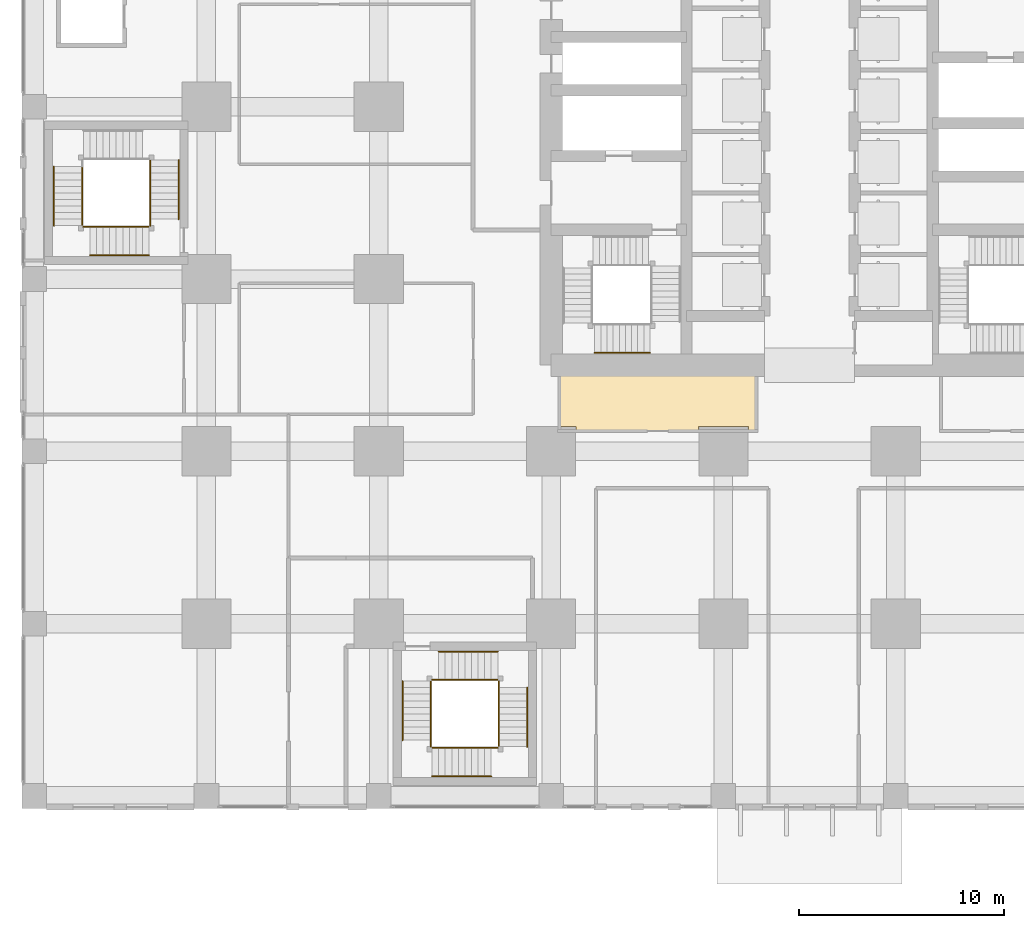
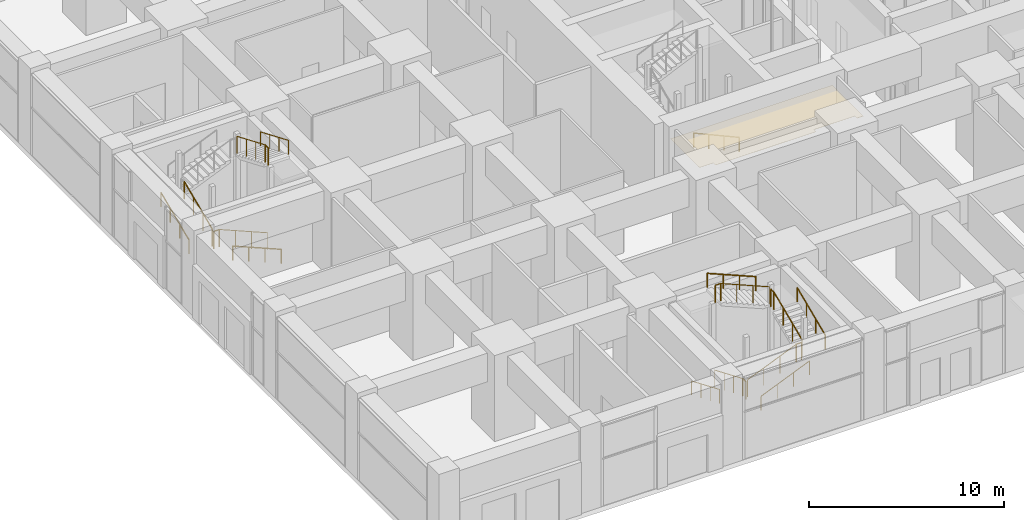
# One storey, part 46 of 81: 21 railings, 1 covering.
"""IFC4 building model written with IfcOpenShell, lengths in metres."""

import ifcopenshell
import ifcopenshell.guid

model = None  # the IFC model being written
_history = None  # IfcOwnerHistory: only IFC2X3 demands one
_inside = {}  # id of a spatial element -> (the spatial element, [elements in it])
_under = {}  # id of a project, library or spatial element -> (it, [spatial elements below it])
_declared = {}  # id of a project -> (the project, [libraries it declares])
_typed = {}  # id of a type object -> (the type object, [elements of that type])
_made_of = {}  # id of a material, layer set ... -> (it, [elements and type objects made of it])


def new_model(schema):
    """Start an empty IFC model of exactly this schema.

    Asked for "IFC4X3", IfcOpenShell would pick the latest addendum, in which some entities
    have other attributes; the version numbers below select the first issue.
    IFC2X3 requires an IfcOwnerHistory on every rooted entity: one is made here for all.
    """
    global model, _history
    if schema == "IFC4X3":
        model = ifcopenshell.file(schema_version=(4, 3, 0, 0))
    else:
        model = ifcopenshell.file(schema=schema)
    _inside.clear()
    _under.clear()
    _declared.clear()
    _typed.clear()
    _made_of.clear()
    _history = None
    if model.schema == "IFC2X3":
        org = make("IfcOrganization", Name="unknown")
        user = make(
            "IfcPersonAndOrganization",
            ThePerson=make("IfcPerson", FamilyName="unknown"),
            TheOrganization=org,
        )
        app = make(
            "IfcApplication",
            ApplicationDeveloper=org,
            Version="unknown",
            ApplicationFullName="unknown",
            ApplicationIdentifier="unknown",
        )
        _history = make(
            "IfcOwnerHistory",
            OwningUser=user,
            OwningApplication=app,
            ChangeAction="ADDED",
            CreationDate=0,
        )
    return model


def make(cls, **values):
    """One entity of the class cls with the attributes given. An attribute that is None is left unset."""
    return model.create_entity(
        cls, **{name: value for name, value in values.items() if value is not None}
    )


def rooted(cls, **values):
    """An entity with a GlobalId (a new one), such as an element, a storey or a relation."""
    return make(cls, GlobalId=ifcopenshell.guid.new(), OwnerHistory=_history, **values)


def si_unit(unit_type, name, prefix=None):
    """IfcSIUnit, for example si_unit("LENGTHUNIT", "METRE", prefix="MILLI")."""
    return make("IfcSIUnit", UnitType=unit_type, Prefix=prefix, Name=name)


def assignment(units):
    """IfcUnitAssignment: the units of a project."""
    return None if units is None else make("IfcUnitAssignment", Units=units)


def point(xyz):
    """IfcCartesianPoint."""
    return None if xyz is None else make("IfcCartesianPoint", Coordinates=xyz)


def direction(xyz):
    """IfcDirection."""
    return None if xyz is None else make("IfcDirection", DirectionRatios=xyz)


def frame(location, z_axis=None, x_axis=None):
    """IfcAxis2Placement3D, a coordinate frame: its origin and axes. An axis left out is left unset."""
    return make(
        "IfcAxis2Placement3D",
        Location=point(location),
        Axis=direction(z_axis),
        RefDirection=direction(x_axis),
    )


def frame_2d(location, x_axis=None):
    """IfcAxis2Placement2D, a coordinate frame in the plane: its origin and x axis."""
    return make(
        "IfcAxis2Placement2D", Location=point(location), RefDirection=direction(x_axis)
    )


def origin():
    """The frame at (0, 0, 0) with its axes left unset."""
    return frame((0.0, 0.0, 0.0))


def origin_2d():
    """The frame at (0, 0) in the plane with its x axis left unset."""
    return frame_2d((0.0, 0.0))


def place(relative_to, where):
    """IfcLocalPlacement: puts the frame where relative to a parent placement (None: the world)."""
    return make(
        "IfcLocalPlacement", PlacementRelTo=relative_to, RelativePlacement=where
    )


def context(
    kind, dimensions, precision=None, world=None, true_north=None, identifier=None
):
    """IfcGeometricRepresentationContext, for example the 3D "Model" context."""
    return make(
        "IfcGeometricRepresentationContext",
        ContextIdentifier=identifier,
        ContextType=kind,
        CoordinateSpaceDimension=dimensions,
        Precision=precision,
        WorldCoordinateSystem=world,
        TrueNorth=true_north,
    )


def subcontext(parent, identifier, kind, view, scale=None):
    """IfcGeometricRepresentationSubContext, for example "Body" below "Model"."""
    return make(
        "IfcGeometricRepresentationSubContext",
        ContextIdentifier=identifier,
        ContextType=kind,
        ParentContext=parent,
        TargetScale=scale,
        TargetView=view,
    )


def project(units=None, contexts=None):
    """IfcProject with its units and contexts."""
    return rooted(
        "IfcProject",
        Name="project",
        RepresentationContexts=contexts,
        UnitsInContext=assignment(units),
    )


def spatial(cls, under=None, at=None, **own):
    """A site, building, storey or space (cls), placed at a placement, below another one or the project."""
    s = rooted(cls, ObjectPlacement=at, **own)
    if under is not None:
        _under.setdefault(under.id(), (under, []))[1].append(s)
    return s


def polyline(points):
    """IfcPolyline through the points."""
    return make("IfcPolyline", Points=[point(p) for p in points])


def profile(cls, at=None, kind="AREA", **sizes):
    """A parametric profile (cls). Its sizes go by their IFC names, for example OverallWidth=200.0."""
    return make(cls, ProfileType=kind, Position=at, **sizes)


def circle(**sizes):
    """IfcCircleProfileDef."""
    return profile("IfcCircleProfileDef", **sizes)


def outline(outer, holes=None, kind="AREA"):
    """IfcArbitraryClosedProfileDef: a profile drawn as a closed curve; with holes, ...WithVoids."""
    if holes is None:
        return make("IfcArbitraryClosedProfileDef", ProfileType=kind, OuterCurve=outer)
    return make(
        "IfcArbitraryProfileDefWithVoids",
        ProfileType=kind,
        OuterCurve=outer,
        InnerCurves=holes,
    )


def extrude(swept, where, along, depth):
    """IfcExtrudedAreaSolid: the profile swept, set in the frame where, extruded along a direction by depth."""
    return make(
        "IfcExtrudedAreaSolid",
        SweptArea=swept,
        Position=where,
        ExtrudedDirection=direction(along),
        Depth=depth,
    )


def shape(context_of_items, identifier, shape_type, items):
    """IfcShapeRepresentation: the items that make up one representation, for example the "Body"."""
    return make(
        "IfcShapeRepresentation",
        ContextOfItems=context_of_items,
        RepresentationIdentifier=identifier,
        RepresentationType=shape_type,
        Items=items,
    )


def material(Name=None, Category=None):
    """IfcMaterial."""
    return make("IfcMaterial", Name=Name, Category=Category)


def layer(
    of_material, thickness, ventilated=None, Name=None, Category=None, Priority=None
):
    """IfcMaterialLayer: one layer of a wall or slab, of a material (None: an air gap)."""
    return make(
        "IfcMaterialLayer",
        Material=of_material,
        LayerThickness=thickness,
        IsVentilated=ventilated,
        Name=Name,
        Category=Category,
        Priority=Priority,
    )


def layer_set(layers, Name=None):
    """IfcMaterialLayerSet."""
    return make("IfcMaterialLayerSet", MaterialLayers=layers, LayerSetName=Name)


def made_of(thing, what):
    """Note that an element or type object is made of a material, layer set ...; save() writes the relation."""
    if what is not None:
        _made_of.setdefault(what.id(), (what, []))[1].append(thing)
    return thing


def type_object(cls, material=None, **own):
    """A type object (cls), such as IfcWallType, which elements share."""
    return made_of(rooted(cls, **own), material)


def element(
    cls,
    number,
    at=None,
    inside=None,
    cuts=None,
    type_object=None,
    material=None,
    context=None,
    identifier="Body",
    shape_type=None,
    held_by="IfcProductDefinitionShape",
    body=None,
    shapes=None,
    **own,
):
    """One element of the class cls, such as IfcWall. Its Tag is "e" and its number.

    at: its placement. inside: the storey or other place that contains it. cuts: it is an
    opening in that element (IfcRelVoidsElement). A single representation is given by context,
    identifier, shape_type and body (its items); several are given by shapes. held_by: the class
    of the entity that holds the representations. save() writes the other relations.
    """
    e = rooted(cls, Tag="e%d" % number, ObjectPlacement=at, **own)
    if body is not None:
        shapes = [shape(context, identifier, shape_type, body)]
    if shapes is not None:
        e.Representation = make(held_by, Representations=shapes)
    if inside is not None:
        _inside.setdefault(inside.id(), (inside, []))[1].append(e)
    if cuts is not None:
        rooted(
            "IfcRelVoidsElement", RelatingBuildingElement=cuts, RelatedOpeningElement=e
        )
    if type_object is not None:
        _typed.setdefault(type_object.id(), (type_object, []))[1].append(e)
    return made_of(e, material)


def aggregate(whole, parts):
    """IfcRelAggregates: a whole, such as a stair, and the parts it consists of."""
    return rooted("IfcRelAggregates", RelatingObject=whole, RelatedObjects=parts)


def save(model, path):
    """Write the relations noted so far, then the file.

    IfcRelAggregates (storeys below a building ...), IfcRelContainedInSpatialStructure (elements
    in a storey), IfcRelDefinesByType, IfcRelAssociatesMaterial and IfcRelDeclares: one each for
    every whole, place, type object, material and project.
    """
    for whole, parts in _under.values():
        aggregate(whole, parts)
    for where, things in _inside.values():
        rooted(
            "IfcRelContainedInSpatialStructure",
            RelatedElements=things,
            RelatingStructure=where,
        )
    for kind, things in _typed.values():
        rooted("IfcRelDefinesByType", RelatedObjects=things, RelatingType=kind)
    for what, things in _made_of.values():
        rooted("IfcRelAssociatesMaterial", RelatedObjects=things, RelatingMaterial=what)
    for by, libraries in _declared.values():
        rooted("IfcRelDeclares", RelatingContext=by, RelatedDefinitions=libraries)
    model.write(path)


model = new_model("IFC4")

# Units and contexts
model_context = context("Model", 3, precision=1e-05, world=origin(), true_north=direction((0.0, 1.0)))
body_context = subcontext(model_context, "Body", "Model", "MODEL_VIEW")
ifc_project = project(units=[si_unit("LENGTHUNIT", "METRE"), si_unit("AREAUNIT", "SQUARE_METRE"), si_unit("VOLUMEUNIT", "CUBIC_METRE"), si_unit("PLANEANGLEUNIT", "RADIAN"), si_unit("MASSUNIT", "GRAM", prefix="KILO")], contexts=[model_context])

# Site, building, storey
site_placement = place(None, origin())
site = spatial("IfcSite", under=ifc_project, at=site_placement, CompositionType="ELEMENT")
building_placement = place(site_placement, origin())
building = spatial("IfcBuilding", under=site, at=building_placement, Name="Rekha Terrace Tower", CompositionType="ELEMENT")
storey_placement = place(building_placement, origin())
storey = spatial("IfcBuildingStorey", under=building, at=storey_placement, Name="L00", CompositionType="ELEMENT", Elevation=0.0)

# Covering
ifc_material_1 = material(Name="Fibre cement board", Category="finish")
ifc_layer = layer(ifc_material_1, 0.014892578125)
ifc_layer_set = layer_set([ifc_layer], Name="Fibre cement board")
covering_type = type_object("IfcCoveringType", Name="CL2 moisture-resistant board ceiling", PredefinedType="CEILING", material=ifc_layer_set)
covering_placement = place(storey_placement, frame((0.0, 0.0, 4.18505859375)))
element("IfcCovering", 1, at=covering_placement, inside=storey, type_object=covering_type, Name="Ceiling L00-WCM", PredefinedType="CEILING", context=body_context, shape_type="SweptSolid", body=[
    extrude(outline(polyline([(35.199951171875, 21.0), (25.60009765625, 21.0), (25.60009765625, 18.014892578125), (26.4150390625, 18.014892578125), (26.4150390625, 17.800048828125), (32.385009765625, 17.800048828125), (32.385009765625, 18.014892578125), (34.81494140625, 18.014892578125), (34.81494140625, 17.800048828125), (35.199951171875, 17.800048828125), (35.199951171875, 21.0)])), origin(), (0.0, 0.0, 1.0), 0.014892578125),
])

# Railings
ifc_material_2 = material(Name="Stainless steel balustrade", Category="steel")
railing_type_1 = type_object("IfcRailingType", Name="GR1 1100 stair guard", PredefinedType="GUARDRAIL", material=ifc_material_2)
railing_1_placement = place(storey_placement, frame((5.60009765625, 27.739990234375, 0.135009765625)))
element("IfcRailing", 2, at=railing_1_placement, inside=storey, type_object=railing_type_1, Name="Guard SP1 L00 flight 1", PredefinedType="GUARDRAIL", context=body_context, shape_type="SweptSolid", body=[
    extrude(circle(Radius=0.02392578125, at=origin_2d()), frame((0.0, 0.0, 1.076171875), z_axis=(-0.921360227523, 0.0, 0.388709828972), x_axis=(0.0, -1.0, 0.0)), (0.0, 0.0, 1.0), 3.1259765625),
    extrude(circle(Radius=0.02099609375, at=origin_2d()), origin(), (0.0, 0.0, 1.0), 1.052001953125),
    extrude(circle(Radius=0.02099609375, at=origin_2d()), frame((-0.9599609375, 0.0, 0.405029296875)), (0.0, 0.0, 1.0), 1.052001953125),
    extrude(circle(Radius=0.02099609375, at=origin_2d()), frame((-1.920166015625, 0.0, 0.81005859375)), (0.0, 0.0, 1.0), 1.052001953125),
    extrude(circle(Radius=0.02099609375, at=origin_2d()), frame((-2.880126953125, 0.0, 1.215087890625)), (0.0, 0.0, 1.0), 1.052001953125),
])
railing_2_placement = place(storey_placement, frame((2.340087890625, 27.800048828125, 1.485107421875)))
element("IfcRailing", 3, at=railing_2_placement, inside=storey, type_object=railing_type_1, Name="Guard SP1 L00 flight 2", PredefinedType="GUARDRAIL", context=body_context, shape_type="SweptSolid", body=[
    extrude(circle(Radius=0.02392578125, at=origin_2d()), frame((0.0, 0.0, 1.076171875), z_axis=(0.0, 0.921376398962, 0.388671495527), x_axis=(-1.0, 0.0, 0.0)), (0.0, 0.0, 1.0), 3.125732421875),
    extrude(circle(Radius=0.02099609375, at=origin_2d()), origin(), (0.0, 0.0, 1.0), 1.052001953125),
    extrude(circle(Radius=0.02099609375, at=origin_2d()), frame((0.0, 0.9599609375, 0.405029296875)), (0.0, 0.0, 1.0), 1.052001953125),
    extrude(circle(Radius=0.02099609375, at=origin_2d()), frame((0.0, 1.919921875, 0.809814453125)), (0.0, 0.0, 1.0), 1.052001953125),
    extrude(circle(Radius=0.02099609375, at=origin_2d()), frame((0.0, 2.8798828125, 1.21484375)), (0.0, 0.0, 1.0), 1.052001953125),
])
railing_3_placement = place(storey_placement, frame((5.659912109375, 31.0, 4.18505859375)))
element("IfcRailing", 4, at=railing_3_placement, inside=storey, type_object=railing_type_1, Name="Guard SP1 L00 flight 4", PredefinedType="GUARDRAIL", context=body_context, shape_type="SweptSolid", body=[
    extrude(circle(Radius=0.02392578125, at=origin_2d()), frame((0.0, 0.0, 1.076171875), z_axis=(0.0, -0.921376398962, 0.388671495527), x_axis=(1.0, 0.0, 0.0)), (0.0, 0.0, 1.0), 3.125732421875),
    extrude(circle(Radius=0.02099609375, at=origin_2d()), origin(), (0.0, 0.0, 1.0), 1.052001953125),
    extrude(circle(Radius=0.02099609375, at=origin_2d()), frame((0.0, -0.9599609375, 0.405029296875)), (0.0, 0.0, 1.0), 1.052001953125),
    extrude(circle(Radius=0.02099609375, at=origin_2d()), frame((0.0, -1.919921875, 0.809814453125)), (0.0, 0.0, 1.0), 1.052001953125),
    extrude(circle(Radius=0.02099609375, at=origin_2d()), frame((0.0, -2.8798828125, 1.21484375)), (0.0, 0.0, 1.0), 1.052001953125),
])
railing_4_placement = place(storey_placement, frame((2.719970703125, 27.739990234375, 1.35009765625)))
element("IfcRailing", 5, at=railing_4_placement, inside=storey, type_object=railing_type_1, Name="Guard SP1 L00 landing 1", PredefinedType="GUARDRAIL", context=body_context, shape_type="SweptSolid", body=[
    extrude(circle(Radius=0.02392578125, at=origin_2d()), frame((0.0, 0.0, 1.076171875), z_axis=(-1.0, 0.0, 0.0), x_axis=(0.0, -1.0, 0.0)), (0.0, 0.0, 1.0), 0.320068359375),
    extrude(circle(Radius=0.02099609375, at=origin_2d()), origin(), (0.0, 0.0, 1.0), 1.052001953125),
    extrude(circle(Radius=0.02099609375, at=origin_2d()), frame((-0.320068359375, 0.0, 0.0)), (0.0, 0.0, 1.0), 1.052001953125),
])
railing_5_placement = place(storey_placement, frame((5.659912109375, 27.800048828125, 5.39990234375)))
element("IfcRailing", 6, at=railing_5_placement, inside=storey, type_object=railing_type_1, Name="Guard SP1 L00 landing 4", PredefinedType="GUARDRAIL", context=body_context, shape_type="SweptSolid", body=[
    extrude(circle(Radius=0.02392578125, at=origin_2d()), frame((0.0, 0.0, 1.076171875), z_axis=(0.0, 1.0, 0.0), x_axis=(-1.0, 0.0, 0.0)), (0.0, 0.0, 1.0), 0.320068359375),
    extrude(circle(Radius=0.02099609375, at=origin_2d()), origin(), (0.0, 0.0, 1.0), 1.052001953125),
    extrude(circle(Radius=0.02099609375, at=origin_2d()), frame((0.0, 0.320068359375, 0.0)), (0.0, 0.0, 1.0), 1.052001953125),
])
railing_6_placement = place(storey_placement, frame((19.340087890625, 5.60009765625, 0.135009765625)))
element("IfcRailing", 7, at=railing_6_placement, inside=storey, type_object=railing_type_1, Name="Guard SP3 L00 flight 1", PredefinedType="GUARDRAIL", context=body_context, shape_type="SweptSolid", body=[
    extrude(circle(Radius=0.02392578125, at=origin_2d()), frame((0.0, 0.0, 1.076171875), z_axis=(0.0, -0.921360227523, 0.388709828972), x_axis=(1.0, 0.0, 0.0)), (0.0, 0.0, 1.0), 3.1259765625),
    extrude(circle(Radius=0.02099609375, at=origin_2d()), origin(), (0.0, 0.0, 1.0), 1.052001953125),
    extrude(circle(Radius=0.02099609375, at=origin_2d()), frame((0.0, -0.9599609375, 0.405029296875)), (0.0, 0.0, 1.0), 1.052001953125),
    extrude(circle(Radius=0.02099609375, at=origin_2d()), frame((0.0, -1.920166015625, 0.81005859375)), (0.0, 0.0, 1.0), 1.052001953125),
    extrude(circle(Radius=0.02099609375, at=origin_2d()), frame((0.0, -2.880126953125, 1.215087890625)), (0.0, 0.0, 1.0), 1.052001953125),
])
railing_7_placement = place(storey_placement, frame((19.39990234375, 2.340087890625, 1.485107421875)))
element("IfcRailing", 8, at=railing_7_placement, inside=storey, type_object=railing_type_1, Name="Guard SP3 L00 flight 2", PredefinedType="GUARDRAIL", context=body_context, shape_type="SweptSolid", body=[
    extrude(circle(Radius=0.02392578125, at=origin_2d()), frame((0.0, 0.0, 1.076171875), z_axis=(0.9213881973, 0.0, 0.388643525453), x_axis=(0.0, 1.0, 0.0)), (0.0, 0.0, 1.0), 3.1259765625),
    extrude(circle(Radius=0.02099609375, at=origin_2d()), origin(), (0.0, 0.0, 1.0), 1.052001953125),
    extrude(circle(Radius=0.02099609375, at=origin_2d()), frame((0.9599609375, 0.0, 0.405029296875)), (0.0, 0.0, 1.0), 1.052001953125),
    extrude(circle(Radius=0.02099609375, at=origin_2d()), frame((1.920166015625, 0.0, 0.809814453125)), (0.0, 0.0, 1.0), 1.052001953125),
    extrude(circle(Radius=0.02099609375, at=origin_2d()), frame((2.880126953125, 0.0, 1.21484375)), (0.0, 0.0, 1.0), 1.052001953125),
])
railing_8_placement = place(storey_placement, frame((22.659912109375, 2.39990234375, 2.8349609375)))
element("IfcRailing", 9, at=railing_8_placement, inside=storey, type_object=railing_type_1, Name="Guard SP3 L00 flight 3", PredefinedType="GUARDRAIL", context=body_context, shape_type="SweptSolid", body=[
    extrude(circle(Radius=0.02392578125, at=origin_2d()), frame((0.0, 0.0, 1.076171875), z_axis=(0.0, 0.921360227523, 0.388709828972), x_axis=(-1.0, 0.0, 0.0)), (0.0, 0.0, 1.0), 3.1259765625),
    extrude(circle(Radius=0.02099609375, at=origin_2d()), origin(), (0.0, 0.0, 1.0), 1.052001953125),
    extrude(circle(Radius=0.02099609375, at=origin_2d()), frame((0.0, 0.9599609375, 0.405029296875)), (0.0, 0.0, 1.0), 1.052001953125),
    extrude(circle(Radius=0.02099609375, at=origin_2d()), frame((0.0, 1.920166015625, 0.81005859375)), (0.0, 0.0, 1.0), 1.052001953125),
    extrude(circle(Radius=0.02099609375, at=origin_2d()), frame((0.0, 2.880126953125, 1.215087890625)), (0.0, 0.0, 1.0), 1.052001953125),
])
railing_9_placement = place(storey_placement, frame((22.60009765625, 5.659912109375, 4.18505859375)))
element("IfcRailing", 10, at=railing_9_placement, inside=storey, type_object=railing_type_1, Name="Guard SP3 L00 flight 4", PredefinedType="GUARDRAIL", context=body_context, shape_type="SweptSolid", body=[
    extrude(circle(Radius=0.02392578125, at=origin_2d()), frame((0.0, 0.0, 1.076171875), z_axis=(-0.9213881973, 0.0, 0.388643525453), x_axis=(0.0, -1.0, 0.0)), (0.0, 0.0, 1.0), 3.1259765625),
    extrude(circle(Radius=0.02099609375, at=origin_2d()), origin(), (0.0, 0.0, 1.0), 1.052001953125),
    extrude(circle(Radius=0.02099609375, at=origin_2d()), frame((-0.9599609375, 0.0, 0.405029296875)), (0.0, 0.0, 1.0), 1.052001953125),
    extrude(circle(Radius=0.02099609375, at=origin_2d()), frame((-1.920166015625, 0.0, 0.809814453125)), (0.0, 0.0, 1.0), 1.052001953125),
    extrude(circle(Radius=0.02099609375, at=origin_2d()), frame((-2.880126953125, 0.0, 1.21484375)), (0.0, 0.0, 1.0), 1.052001953125),
])
railing_10_placement = place(storey_placement, frame((19.340087890625, 2.719970703125, 1.35009765625)))
element("IfcRailing", 11, at=railing_10_placement, inside=storey, type_object=railing_type_1, Name="Guard SP3 L00 landing 1", PredefinedType="GUARDRAIL", context=body_context, shape_type="SweptSolid", body=[
    extrude(circle(Radius=0.02392578125, at=origin_2d()), frame((0.0, 0.0, 1.076171875), z_axis=(0.0, -1.0, 0.0), x_axis=(1.0, 0.0, 0.0)), (0.0, 0.0, 1.0), 0.320068359375),
    extrude(circle(Radius=0.02099609375, at=origin_2d()), origin(), (0.0, 0.0, 1.0), 1.052001953125),
    extrude(circle(Radius=0.02099609375, at=origin_2d()), frame((0.0, -0.320068359375, 0.0)), (0.0, 0.0, 1.0), 1.052001953125),
])
railing_11_placement = place(storey_placement, frame((22.280029296875, 2.340087890625, 2.699951171875)))
element("IfcRailing", 12, at=railing_11_placement, inside=storey, type_object=railing_type_1, Name="Guard SP3 L00 landing 2", PredefinedType="GUARDRAIL", context=body_context, shape_type="SweptSolid", body=[
    extrude(circle(Radius=0.02392578125, at=origin_2d()), frame((0.0, 0.0, 1.076171875), z_axis=(1.0, 0.0, 0.0), x_axis=(0.0, 1.0, 0.0)), (0.0, 0.0, 1.0), 0.320068359375),
    extrude(circle(Radius=0.02099609375, at=origin_2d()), origin(), (0.0, 0.0, 1.0), 1.052001953125),
    extrude(circle(Radius=0.02099609375, at=origin_2d()), frame((0.320068359375, 0.0, 0.0)), (0.0, 0.0, 1.0), 1.052001953125),
])
railing_12_placement = place(storey_placement, frame((22.659912109375, 5.60009765625, 4.050048828125)))
element("IfcRailing", 13, at=railing_12_placement, inside=storey, type_object=railing_type_1, Name="Guard SP3 L00 landing 3", PredefinedType="GUARDRAIL", context=body_context, shape_type="SweptSolid", body=[
    extrude(circle(Radius=0.02392578125, at=origin_2d()), frame((0.0, 0.0, 1.076171875), z_axis=(0.0, -1.0, 0.0), x_axis=(1.0, 0.0, 0.0)), (0.0, 0.0, 1.0), 0.320068359375),
    extrude(circle(Radius=0.02099609375, at=origin_2d()), origin(), (0.0, 0.0, 1.0), 1.052001953125),
    extrude(circle(Radius=0.02099609375, at=origin_2d()), frame((0.0, -0.320068359375, 0.0)), (0.0, 0.0, 1.0), 1.052001953125),
])
railing_13_placement = place(storey_placement, frame((19.39990234375, 5.659912109375, 5.39990234375)))
element("IfcRailing", 14, at=railing_13_placement, inside=storey, type_object=railing_type_1, Name="Guard SP3 L00 landing 4", PredefinedType="GUARDRAIL", context=body_context, shape_type="SweptSolid", body=[
    extrude(circle(Radius=0.02392578125, at=origin_2d()), frame((0.0, 0.0, 1.076171875), z_axis=(1.0, 0.0, 0.0), x_axis=(0.0, 1.0, 0.0)), (0.0, 0.0, 1.0), 0.320068359375),
    extrude(circle(Radius=0.02099609375, at=origin_2d()), origin(), (0.0, 0.0, 1.0), 1.052001953125),
    extrude(circle(Radius=0.02099609375, at=origin_2d()), frame((0.320068359375, 0.0, 0.0)), (0.0, 0.0, 1.0), 1.052001953125),
])
ifc_material_3 = material(Name="Stainless steel tube", Category="steel")
railing_type_2 = type_object("IfcRailingType", Name="HR1 900 stair handrail", PredefinedType="HANDRAIL", material=ifc_material_3)
railing_14_placement = place(storey_placement, frame((5.60009765625, 26.360107421875, 0.135009765625)))
element("IfcRailing", 15, at=railing_14_placement, inside=storey, type_object=railing_type_2, Name="Handrail SP1 L00 flight 1", PredefinedType="HANDRAIL", context=body_context, shape_type="SweptSolid", body=[
    extrude(circle(Radius=0.02392578125, at=origin_2d()), frame((0.0, 0.0, 0.8759765625), z_axis=(-0.921360227523, 0.0, 0.388709828972), x_axis=(0.0, -1.0, 0.0)), (0.0, 0.0, 1.0), 3.1259765625),
    extrude(circle(Radius=0.02099609375, at=origin_2d()), origin(), (0.0, 0.0, 1.0), 0.851806640625),
    extrude(circle(Radius=0.02099609375, at=origin_2d()), frame((-0.9599609375, 0.0, 0.405029296875)), (0.0, 0.0, 1.0), 0.851806640625),
    extrude(circle(Radius=0.02099609375, at=origin_2d()), frame((-1.920166015625, 0.0, 0.81005859375)), (0.0, 0.0, 1.0), 0.851806640625),
    extrude(circle(Radius=0.02099609375, at=origin_2d()), frame((-2.880126953125, 0.0, 1.215087890625)), (0.0, 0.0, 1.0), 0.851806640625),
])
railing_15_placement = place(storey_placement, frame((0.9599609375, 27.800048828125, 1.485107421875)))
element("IfcRailing", 16, at=railing_15_placement, inside=storey, type_object=railing_type_2, Name="Handrail SP1 L00 flight 2", PredefinedType="HANDRAIL", context=body_context, shape_type="SweptSolid", body=[
    extrude(circle(Radius=0.02392578125, at=origin_2d()), frame((0.0, 0.0, 0.8759765625), z_axis=(0.0, 0.921376398962, 0.388671495527), x_axis=(-1.0, 0.0, 0.0)), (0.0, 0.0, 1.0), 3.125732421875),
    extrude(circle(Radius=0.02099609375, at=origin_2d()), origin(), (0.0, 0.0, 1.0), 0.851806640625),
    extrude(circle(Radius=0.02099609375, at=origin_2d()), frame((0.0, 0.9599609375, 0.405029296875)), (0.0, 0.0, 1.0), 0.851806640625),
    extrude(circle(Radius=0.02099609375, at=origin_2d()), frame((0.0, 1.919921875, 0.809814453125)), (0.0, 0.0, 1.0), 0.851806640625),
    extrude(circle(Radius=0.02099609375, at=origin_2d()), frame((0.0, 2.8798828125, 1.21484375)), (0.0, 0.0, 1.0), 0.851806640625),
])
railing_16_placement = place(storey_placement, frame((7.0400390625, 31.0, 4.18505859375)))
element("IfcRailing", 17, at=railing_16_placement, inside=storey, type_object=railing_type_2, Name="Handrail SP1 L00 flight 4", PredefinedType="HANDRAIL", context=body_context, shape_type="SweptSolid", body=[
    extrude(circle(Radius=0.02392578125, at=origin_2d()), frame((0.0, 0.0, 0.8759765625), z_axis=(0.0, -0.921376398962, 0.388671495527), x_axis=(1.0, 0.0, 0.0)), (0.0, 0.0, 1.0), 3.125732421875),
    extrude(circle(Radius=0.02099609375, at=origin_2d()), origin(), (0.0, 0.0, 1.0), 0.851806640625),
    extrude(circle(Radius=0.02099609375, at=origin_2d()), frame((0.0, -0.9599609375, 0.405029296875)), (0.0, 0.0, 1.0), 0.851806640625),
    extrude(circle(Radius=0.02099609375, at=origin_2d()), frame((0.0, -1.919921875, 0.809814453125)), (0.0, 0.0, 1.0), 0.851806640625),
    extrude(circle(Radius=0.02099609375, at=origin_2d()), frame((0.0, -2.8798828125, 1.21484375)), (0.0, 0.0, 1.0), 0.851806640625),
])
railing_17_placement = place(storey_placement, frame((17.9599609375, 5.60009765625, 0.135009765625)))
element("IfcRailing", 18, at=railing_17_placement, inside=storey, type_object=railing_type_2, Name="Handrail SP3 L00 flight 1", PredefinedType="HANDRAIL", context=body_context, shape_type="SweptSolid", body=[
    extrude(circle(Radius=0.02392578125, at=origin_2d()), frame((0.0, 0.0, 0.8759765625), z_axis=(0.0, -0.921360227523, 0.388709828972), x_axis=(1.0, 0.0, 0.0)), (0.0, 0.0, 1.0), 3.1259765625),
    extrude(circle(Radius=0.02099609375, at=origin_2d()), origin(), (0.0, 0.0, 1.0), 0.851806640625),
    extrude(circle(Radius=0.02099609375, at=origin_2d()), frame((0.0, -0.9599609375, 0.405029296875)), (0.0, 0.0, 1.0), 0.851806640625),
    extrude(circle(Radius=0.02099609375, at=origin_2d()), frame((0.0, -1.920166015625, 0.81005859375)), (0.0, 0.0, 1.0), 0.851806640625),
    extrude(circle(Radius=0.02099609375, at=origin_2d()), frame((0.0, -2.880126953125, 1.215087890625)), (0.0, 0.0, 1.0), 0.851806640625),
])
railing_18_placement = place(storey_placement, frame((19.39990234375, 0.9599609375, 1.485107421875)))
element("IfcRailing", 19, at=railing_18_placement, inside=storey, type_object=railing_type_2, Name="Handrail SP3 L00 flight 2", PredefinedType="HANDRAIL", context=body_context, shape_type="SweptSolid", body=[
    extrude(circle(Radius=0.02392578125, at=origin_2d()), frame((0.0, 0.0, 0.8759765625), z_axis=(0.9213881973, 0.0, 0.388643525453), x_axis=(0.0, 1.0, 0.0)), (0.0, 0.0, 1.0), 3.1259765625),
    extrude(circle(Radius=0.02099609375, at=origin_2d()), origin(), (0.0, 0.0, 1.0), 0.851806640625),
    extrude(circle(Radius=0.02099609375, at=origin_2d()), frame((0.9599609375, 0.0, 0.405029296875)), (0.0, 0.0, 1.0), 0.851806640625),
    extrude(circle(Radius=0.02099609375, at=origin_2d()), frame((1.920166015625, 0.0, 0.809814453125)), (0.0, 0.0, 1.0), 0.851806640625),
    extrude(circle(Radius=0.02099609375, at=origin_2d()), frame((2.880126953125, 0.0, 1.21484375)), (0.0, 0.0, 1.0), 0.851806640625),
])
railing_19_placement = place(storey_placement, frame((24.0400390625, 2.39990234375, 2.8349609375)))
element("IfcRailing", 20, at=railing_19_placement, inside=storey, type_object=railing_type_2, Name="Handrail SP3 L00 flight 3", PredefinedType="HANDRAIL", context=body_context, shape_type="SweptSolid", body=[
    extrude(circle(Radius=0.02392578125, at=origin_2d()), frame((0.0, 0.0, 0.8759765625), z_axis=(0.0, 0.921360227523, 0.388709828972), x_axis=(-1.0, 0.0, 0.0)), (0.0, 0.0, 1.0), 3.1259765625),
    extrude(circle(Radius=0.02099609375, at=origin_2d()), origin(), (0.0, 0.0, 1.0), 0.851806640625),
    extrude(circle(Radius=0.02099609375, at=origin_2d()), frame((0.0, 0.9599609375, 0.405029296875)), (0.0, 0.0, 1.0), 0.851806640625),
    extrude(circle(Radius=0.02099609375, at=origin_2d()), frame((0.0, 1.920166015625, 0.81005859375)), (0.0, 0.0, 1.0), 0.851806640625),
    extrude(circle(Radius=0.02099609375, at=origin_2d()), frame((0.0, 2.880126953125, 1.215087890625)), (0.0, 0.0, 1.0), 0.851806640625),
])
railing_20_placement = place(storey_placement, frame((22.60009765625, 7.0400390625, 4.18505859375)))
element("IfcRailing", 21, at=railing_20_placement, inside=storey, type_object=railing_type_2, Name="Handrail SP3 L00 flight 4", PredefinedType="HANDRAIL", context=body_context, shape_type="SweptSolid", body=[
    extrude(circle(Radius=0.02392578125, at=origin_2d()), frame((0.0, 0.0, 0.8759765625), z_axis=(-0.9213881973, 0.0, 0.388643525453), x_axis=(0.0, -1.0, 0.0)), (0.0, 0.0, 1.0), 3.1259765625),
    extrude(circle(Radius=0.02099609375, at=origin_2d()), origin(), (0.0, 0.0, 1.0), 0.851806640625),
    extrude(circle(Radius=0.02099609375, at=origin_2d()), frame((-0.9599609375, 0.0, 0.405029296875)), (0.0, 0.0, 1.0), 0.851806640625),
    extrude(circle(Radius=0.02099609375, at=origin_2d()), frame((-1.920166015625, 0.0, 0.809814453125)), (0.0, 0.0, 1.0), 0.851806640625),
    extrude(circle(Radius=0.02099609375, at=origin_2d()), frame((-2.880126953125, 0.0, 1.21484375)), (0.0, 0.0, 1.0), 0.851806640625),
])
railing_21_placement = place(storey_placement, frame((30.02490234375, 21.610107421875, 1.485107421875)))
element("IfcRailing", 22, at=railing_21_placement, inside=storey, type_object=railing_type_2, Name="Handrail ST1 L00 flight 2", PredefinedType="HANDRAIL", context=body_context, shape_type="SweptSolid", body=[
    extrude(circle(Radius=0.02392578125, at=origin_2d()), frame((0.0, 0.0, 0.8759765625), z_axis=(-0.91193847666, 0.0, 0.410326960834), x_axis=(0.0, -1.0, 0.0)), (0.0, 0.0, 1.0), 2.960693359375),
    extrude(circle(Radius=0.02099609375, at=origin_2d()), origin(), (0.0, 0.0, 1.0), 0.851806640625),
    extrude(circle(Radius=0.02099609375, at=origin_2d()), frame((-0.89990234375, 0.0, 0.405029296875)), (0.0, 0.0, 1.0), 0.851806640625),
    extrude(circle(Radius=0.02099609375, at=origin_2d()), frame((-1.800048828125, 0.0, 0.809814453125)), (0.0, 0.0, 1.0), 0.851806640625),
    extrude(circle(Radius=0.02099609375, at=origin_2d()), frame((-2.699951171875, 0.0, 1.21484375)), (0.0, 0.0, 1.0), 0.851806640625),
])

save(model, "model.ifc")
